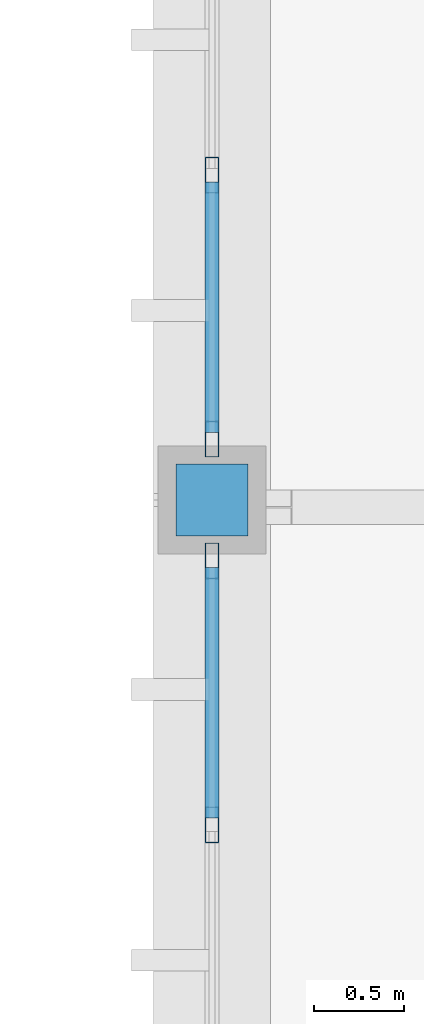
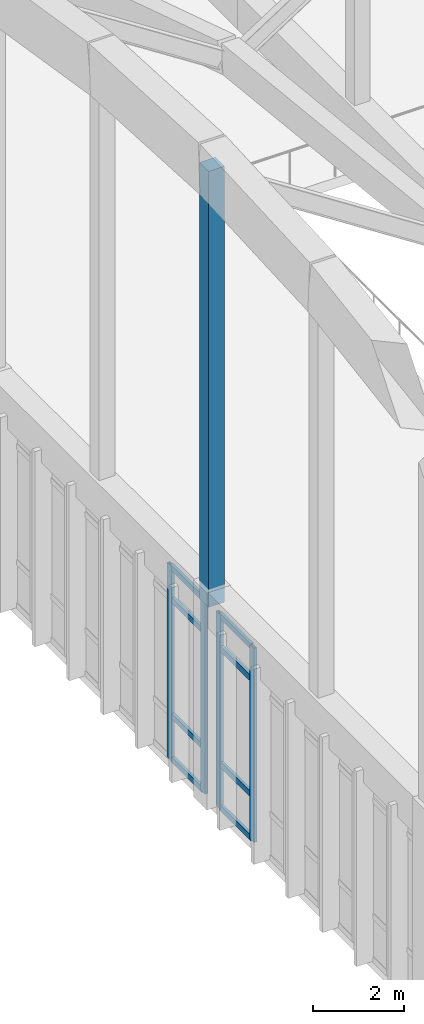
# One storey, part 43 of 236: 13 members, 2 elements without a shape of their own.
"""IFC4 building model written with IfcOpenShell, lengths in metres."""

from ifc_helpers import new_model, si_unit, direction, frame, origin, origin_2d, place, context, subcontext, project, spatial, rectangle, hollow_rectangle, extrude, material, layer, layer_set, material_profile, profile_set, type_object, element, aggregate, save


model = new_model("IFC4")

# Units and contexts
model_context = context("Model", 3, precision=1e-05, world=origin(), true_north=direction((0.0, 1.0)))
body_context = subcontext(model_context, "Body", "Model", "MODEL_VIEW")
ifc_project = project(units=[si_unit("LENGTHUNIT", "METRE"), si_unit("AREAUNIT", "SQUARE_METRE"), si_unit("VOLUMEUNIT", "CUBIC_METRE"), si_unit("PLANEANGLEUNIT", "RADIAN"), si_unit("MASSUNIT", "GRAM", prefix="KILO")], contexts=[model_context])

# Site, building, storey
site_placement = place(None, origin())
site = spatial("IfcSite", under=ifc_project, at=site_placement, CompositionType="ELEMENT")
building_placement = place(site_placement, origin())
building = spatial("IfcBuilding", under=site, at=building_placement, Name="Pandanus Reach Market Hall", CompositionType="ELEMENT")
storey_placement = place(building_placement, frame((0.0, 0.0, 5.39990234375)))
storey = spatial("IfcBuildingStorey", under=building, at=storey_placement, Name="L01", CompositionType="ELEMENT", Elevation=5.39990234375)

# Member
ifc_material_1 = material(Name="Concrete N50 (50 MPa)", Category="concrete")
ifc_material_profile_1 = material_profile(ifc_material_1, rectangle(XDim=0.39990234375, YDim=0.39990234375, at=origin_2d()), Name="RC400x400", Category="LoadBearing")
ifc_profile_set_1 = profile_set([ifc_material_profile_1], Name="Concrete N50 (50 MPa)")
member_type_1 = type_object("IfcMemberType", Name="AR-WEB400-E", PredefinedType="STRUT", material=ifc_profile_set_1)
member_1_placement = place(storey_placement, frame((48.0, 57.60009765625, 5.3251953125), z_axis=(0.0, 0.0, 1.0), x_axis=(1.0, 0.0, 0.0)))
element("IfcMember", 1, at=member_1_placement, inside=storey, type_object=member_type_1, Name="Arch truss vertical web strut A1.6", PredefinedType="STRUT", context=body_context, shape_type="SweptSolid", body=[
    extrude(rectangle(XDim=0.39990234375, YDim=0.39990234375, at=origin_2d()), origin(), (0.0, 0.0, 1.0), 11.65478515625),
])

# Curtain wall, members
ifc_material_2 = material(Name="Bronze anodised aluminium and low-E glass", Category="aluminium")
ifc_layer = layer(ifc_material_2, 0.199951171875, Name="CW-05")
ifc_layer_set = layer_set([ifc_layer], Name="Bronze anodised aluminium and low-E glass")
curtain_wall_type = type_object("IfcCurtainWallType", Name="CW-05", PredefinedType="NOTDEFINED", material=ifc_layer_set)
curtain_wall_1_placement = place(storey_placement, origin())
curtain_wall_1 = element("IfcCurtainWall", 2, at=curtain_wall_1_placement, inside=storey, type_object=curtain_wall_type, Name="Glazed curtain wall CW-05 CW-0025", PredefinedType="NOTDEFINED")
ifc_material_3 = material(Name="Bronze anodised aluminium", Category="aluminium")
ifc_material_profile_2 = material_profile(ifc_material_3, hollow_rectangle(XDim=0.074951171875, YDim=0.199951171875, WallThickness=0.00439453125, at=origin_2d()), Name="ALU75x200", Category="LoadBearing")
ifc_profile_set_2 = profile_set([ifc_material_profile_2], Name="Bronze anodised aluminium")
member_type_2 = type_object("IfcMemberType", Name="CW-M2", PredefinedType="MULLION", material=ifc_profile_set_2)
member_2_placement = place(storey_placement, frame((48.0, 55.800048828125, 0.0), z_axis=(0.0, 0.0, 1.0), x_axis=(-1.0, 0.0, 0.0)))
member_2 = element("IfcMember", 3, at=member_2_placement, type_object=member_type_2, Name="CW-05 mullion 6", PredefinedType="MULLION", context=body_context, shape_type="SweptSolid", body=[
    extrude(hollow_rectangle(XDim=0.074951171875, YDim=0.199951171875, WallThickness=0.00439453125, at=origin_2d()), origin(), (0.0, 0.0, 1.0), 5.2001953125),
])
member_3_placement = place(storey_placement, frame((48.0, 57.262451171875, 0.0), z_axis=(0.0, 0.0, 1.0), x_axis=(-1.0, 0.0, 0.0)))
member_3 = element("IfcMember", 4, at=member_3_placement, type_object=member_type_2, Name="CW-05 mullion 7", PredefinedType="MULLION", context=body_context, shape_type="SweptSolid", body=[
    extrude(hollow_rectangle(XDim=0.074951171875, YDim=0.199951171875, WallThickness=0.00439453125, at=origin_2d()), origin(), (0.0, 0.0, 1.0), 5.2001953125),
])

curtain_wall_2_placement = place(storey_placement, origin())
curtain_wall_2 = element("IfcCurtainWall", 5, at=curtain_wall_2_placement, inside=storey, type_object=curtain_wall_type, Name="Glazed curtain wall CW-05 CW-0029", PredefinedType="NOTDEFINED")
member_4_placement = place(storey_placement, frame((48.0, 57.9375, 0.0), z_axis=(0.0, 0.0, 1.0), x_axis=(-1.0, 0.0, 0.0)))
member_4 = element("IfcMember", 6, at=member_4_placement, type_object=member_type_2, Name="CW-05 mullion 1", PredefinedType="MULLION", context=body_context, shape_type="SweptSolid", body=[
    extrude(hollow_rectangle(XDim=0.074951171875, YDim=0.199951171875, WallThickness=0.00439453125, at=origin_2d()), origin(), (0.0, 0.0, 1.0), 5.2001953125),
])
member_5_placement = place(storey_placement, frame((48.0, 59.39990234375, 0.0), z_axis=(0.0, 0.0, 1.0), x_axis=(-1.0, 0.0, 0.0)))
member_5 = element("IfcMember", 7, at=member_5_placement, type_object=member_type_2, Name="CW-05 mullion 2", PredefinedType="MULLION", context=body_context, shape_type="SweptSolid", body=[
    extrude(hollow_rectangle(XDim=0.074951171875, YDim=0.199951171875, WallThickness=0.00439453125, at=origin_2d()), origin(), (0.0, 0.0, 1.0), 5.2001953125),
])

# Member
ifc_material_profile_3 = material_profile(ifc_material_3, hollow_rectangle(XDim=0.074951171875, YDim=0.14990234375, WallThickness=0.00439453125, at=origin_2d()), Name="ALU75x150", Category="LoadBearing")
ifc_profile_set_3 = profile_set([ifc_material_profile_3], Name="Bronze anodised aluminium")
member_type_3 = type_object("IfcMemberType", Name="CW-T2", PredefinedType="USERDEFINED", material=ifc_profile_set_3)
member_6_placement = place(storey_placement, frame((48.0, 55.83740234375, 0.03759765625), z_axis=(0.0, 1.0, 0.0), x_axis=(-1.0, 0.0, 0.0)))
member_6 = element("IfcMember", 8, at=member_6_placement, type_object=member_type_3, Name="CW-05 transom 6.1", ObjectType="TRANSOM", PredefinedType="USERDEFINED", context=body_context, shape_type="SweptSolid", body=[
    extrude(hollow_rectangle(XDim=0.074951171875, YDim=0.14990234375, WallThickness=0.00439453125, at=origin_2d()), origin(), (0.0, 0.0, 1.0), 1.3876953125),
])

member_7_placement = place(storey_placement, frame((48.0, 55.83740234375, 1.2001953125), z_axis=(0.0, 1.0, 0.0), x_axis=(-1.0, 0.0, 0.0)))
member_7 = element("IfcMember", 9, at=member_7_placement, type_object=member_type_3, Name="CW-05 transom 6.2", ObjectType="TRANSOM", PredefinedType="USERDEFINED", context=body_context, shape_type="SweptSolid", body=[
    extrude(hollow_rectangle(XDim=0.074951171875, YDim=0.14990234375, WallThickness=0.00439453125, at=origin_2d()), origin(), (0.0, 0.0, 1.0), 1.3876953125),
])

member_8_placement = place(storey_placement, frame((48.0, 55.83740234375, 4.300048828125), z_axis=(0.0, 1.0, 0.0), x_axis=(-1.0, 0.0, 0.0)))
member_8 = element("IfcMember", 10, at=member_8_placement, type_object=member_type_3, Name="CW-05 transom 6.3", ObjectType="TRANSOM", PredefinedType="USERDEFINED", context=body_context, shape_type="SweptSolid", body=[
    extrude(hollow_rectangle(XDim=0.074951171875, YDim=0.14990234375, WallThickness=0.00439453125, at=origin_2d()), origin(), (0.0, 0.0, 1.0), 1.3876953125),
])

member_9_placement = place(storey_placement, frame((48.0, 55.83740234375, 5.16259765625), z_axis=(0.0, 1.0, 0.0), x_axis=(-1.0, 0.0, 0.0)))
member_9 = element("IfcMember", 11, at=member_9_placement, type_object=member_type_3, Name="CW-05 transom 6.4", ObjectType="TRANSOM", PredefinedType="USERDEFINED", context=body_context, shape_type="SweptSolid", body=[
    extrude(hollow_rectangle(XDim=0.074951171875, YDim=0.14990234375, WallThickness=0.00439453125, at=origin_2d()), origin(), (0.0, 0.0, 1.0), 1.3876953125),
])

aggregate(curtain_wall_1, [member_2, member_3, member_6, member_7, member_8, member_9])

member_10_placement = place(storey_placement, frame((48.0, 57.97509765625, 0.03759765625), z_axis=(0.0, 1.0, 0.0), x_axis=(-1.0, 0.0, 0.0)))
member_10 = element("IfcMember", 12, at=member_10_placement, type_object=member_type_3, Name="CW-05 transom 1.1", ObjectType="TRANSOM", PredefinedType="USERDEFINED", context=body_context, shape_type="SweptSolid", body=[
    extrude(hollow_rectangle(XDim=0.074951171875, YDim=0.14990234375, WallThickness=0.00439453125, at=origin_2d()), origin(), (0.0, 0.0, 1.0), 1.387451171875),
])

member_11_placement = place(storey_placement, frame((48.0, 57.97509765625, 1.2001953125), z_axis=(0.0, 1.0, 0.0), x_axis=(-1.0, 0.0, 0.0)))
member_11 = element("IfcMember", 13, at=member_11_placement, type_object=member_type_3, Name="CW-05 transom 1.2", ObjectType="TRANSOM", PredefinedType="USERDEFINED", context=body_context, shape_type="SweptSolid", body=[
    extrude(hollow_rectangle(XDim=0.074951171875, YDim=0.14990234375, WallThickness=0.00439453125, at=origin_2d()), origin(), (0.0, 0.0, 1.0), 1.387451171875),
])

member_12_placement = place(storey_placement, frame((48.0, 57.97509765625, 4.300048828125), z_axis=(0.0, 1.0, 0.0), x_axis=(-1.0, 0.0, 0.0)))
member_12 = element("IfcMember", 14, at=member_12_placement, type_object=member_type_3, Name="CW-05 transom 1.3", ObjectType="TRANSOM", PredefinedType="USERDEFINED", context=body_context, shape_type="SweptSolid", body=[
    extrude(hollow_rectangle(XDim=0.074951171875, YDim=0.14990234375, WallThickness=0.00439453125, at=origin_2d()), origin(), (0.0, 0.0, 1.0), 1.387451171875),
])

member_13_placement = place(storey_placement, frame((48.0, 57.97509765625, 5.16259765625), z_axis=(0.0, 1.0, 0.0), x_axis=(-1.0, 0.0, 0.0)))
member_13 = element("IfcMember", 15, at=member_13_placement, type_object=member_type_3, Name="CW-05 transom 1.4", ObjectType="TRANSOM", PredefinedType="USERDEFINED", context=body_context, shape_type="SweptSolid", body=[
    extrude(hollow_rectangle(XDim=0.074951171875, YDim=0.14990234375, WallThickness=0.00439453125, at=origin_2d()), origin(), (0.0, 0.0, 1.0), 1.387451171875),
])

aggregate(curtain_wall_2, [member_4, member_5, member_10, member_11, member_12, member_13])

save(model, "model.ifc")
